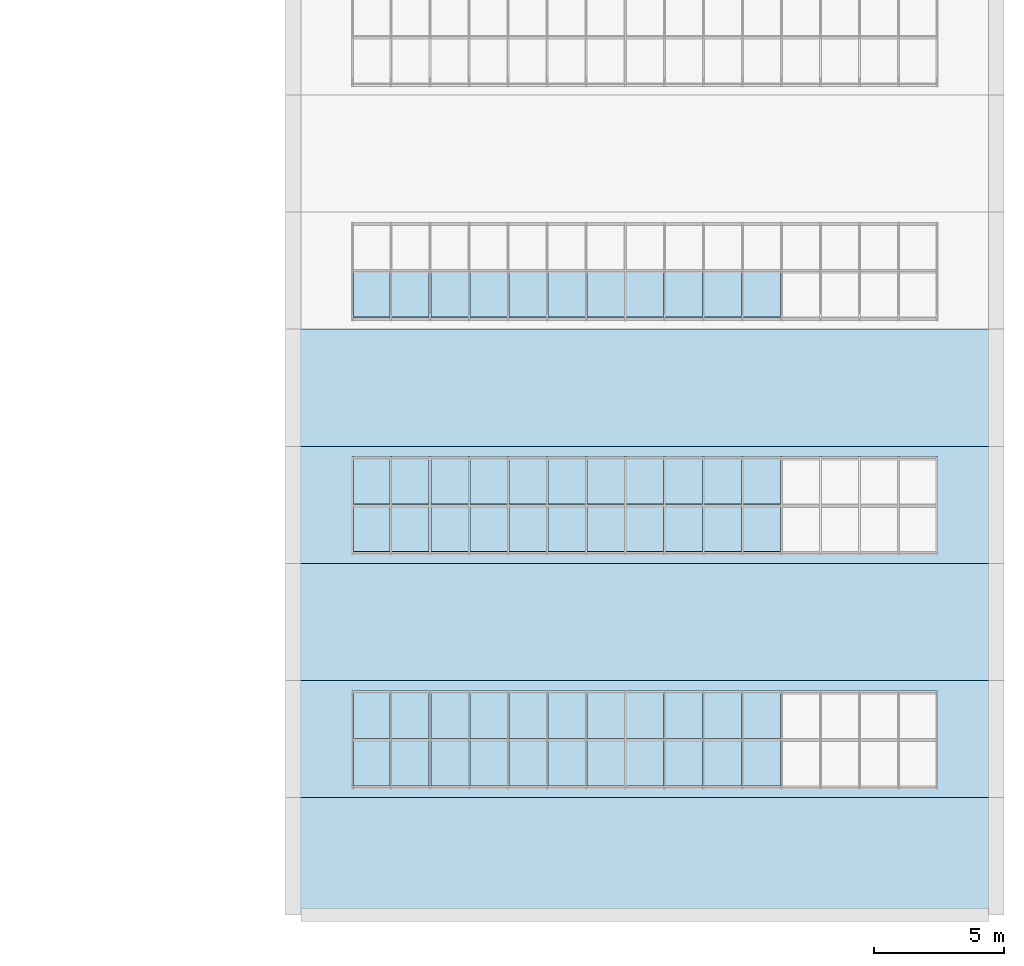
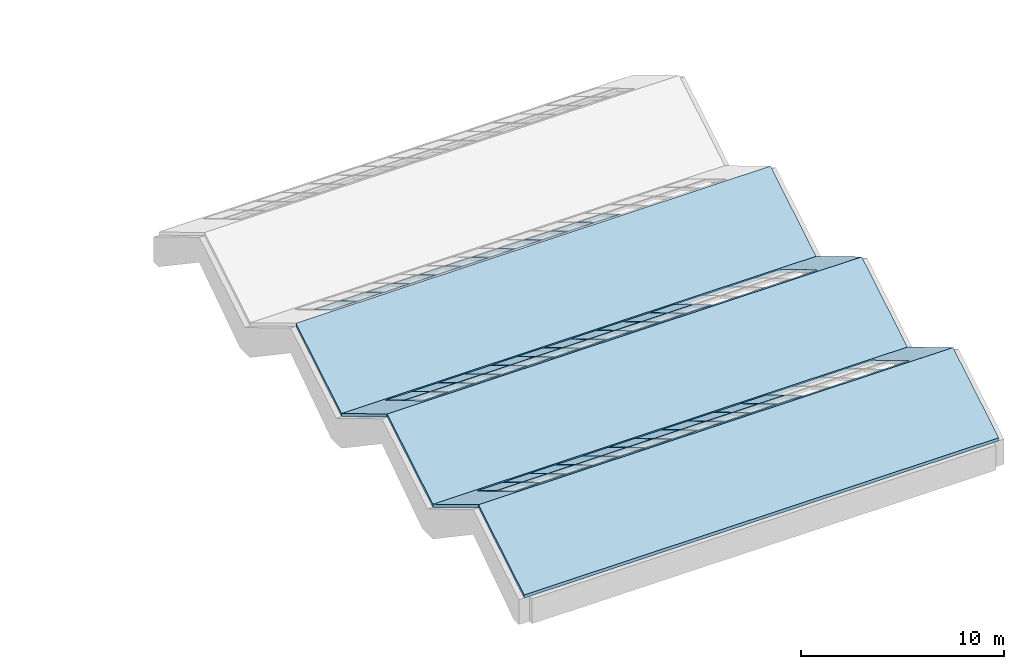
# One storey, part 12 of 29: 55 plates, 5 slabs, 3 elements without a shape of their own.
"""IFC4 building model written with IfcOpenShell, lengths in metres."""

from ifc_helpers import new_model, si_unit, direction, frame, origin, place, context, subcontext, project, spatial, polyline, outline, extrude, material, layer, layer_set, type_object, element, aggregate, save


model = new_model("IFC4")

# Units and contexts
model_context = context("Model", 3, precision=1e-05, world=origin(), true_north=direction((0.0, 1.0)))
body_context = subcontext(model_context, "Body", "Model", "MODEL_VIEW")
ifc_project = project(units=[si_unit("LENGTHUNIT", "METRE"), si_unit("AREAUNIT", "SQUARE_METRE"), si_unit("VOLUMEUNIT", "CUBIC_METRE"), si_unit("PLANEANGLEUNIT", "RADIAN"), si_unit("MASSUNIT", "GRAM", prefix="KILO")], contexts=[model_context])

# Site, building, storey
site_placement = place(None, origin())
site = spatial("IfcSite", under=ifc_project, at=site_placement, CompositionType="ELEMENT")
building_placement = place(site_placement, origin())
building = spatial("IfcBuilding", under=site, at=building_placement, Name="Merrow Basin Faculty of Sciences", CompositionType="ELEMENT")
storey_placement = place(building_placement, frame((0.0, 0.0, 22.5)))
storey = spatial("IfcBuildingStorey", under=building, at=storey_placement, Name="L05", CompositionType="ELEMENT", Elevation=22.5)

# Slabs
ifc_material_1 = material(Name="Concrete C50/60", Category="concrete")
ifc_layer_1 = layer(ifc_material_1, 0.159912109375)
ifc_layer_set_1 = layer_set([ifc_layer_1], Name="Folded plate 160 Concrete C50/60")
slab_type = type_object("IfcSlabType", Name="Folded plate 160 Concrete C50/60", PredefinedType="ROOF", material=ifc_layer_set_1)
slab_1_placement = place(storey_placement, frame((45.0, 0.0, 0.0), z_axis=(0.0, -0.514488913912, 0.857497030584), x_axis=(1.0, 0.0, 0.0)))
element("IfcSlab", 1, at=slab_1_placement, inside=storey, type_object=slab_type, Name="Folded plate 1", PredefinedType="ROOF", context=body_context, shape_type="SweptSolid", body=[
    extrude(outline(polyline([(0.0, 0.0), (27.0, 0.0), (27.0, 5.247831583664741), (0.0, 5.247831583664741), (0.0, 0.0)])), origin(), (0.0, -0.514488913912, -0.857497030584), 0.1865234375),
])
slab_2_placement = place(storey_placement, frame((45.0, 4.5, 2.699951171875), z_axis=(0.0, 0.514488913912, 0.857497030584), x_axis=(1.0, 0.0, 0.0)))
element("IfcSlab", 2, at=slab_2_placement, inside=storey, type_object=slab_type, Name="Folded plate 2", PredefinedType="ROOF", context=body_context, shape_type="SweptSolid", body=[
    extrude(outline(polyline([(0.0, 0.0), (27.0, 0.0), (27.0, 5.247831583664741), (0.0, 5.247831583664741), (0.0, 0.0)]), holes=[polyline([(2.25, 0.466390178603584), (24.75, 0.466390178603584), (24.75, 4.781441405061157), (2.25, 4.781441405061157), (2.25, 0.466390178603584)])]), origin(), (0.0, 0.514488913912, -0.857497030584), 0.1865234375),
])
slab_3_placement = place(storey_placement, frame((45.0, 9.0, 0.0), z_axis=(0.0, -0.514488913912, 0.857497030584), x_axis=(1.0, 0.0, 0.0)))
element("IfcSlab", 3, at=slab_3_placement, inside=storey, type_object=slab_type, Name="Folded plate 3", PredefinedType="ROOF", context=body_context, shape_type="SweptSolid", body=[
    extrude(outline(polyline([(0.0, 0.0), (27.0, 0.0), (27.0, 5.247831583664741), (0.0, 5.247831583664741), (0.0, 0.0)])), origin(), (0.0, -0.514488913912, -0.857497030584), 0.1865234375),
])
slab_4_placement = place(storey_placement, frame((45.0, 13.5, 2.699951171875), z_axis=(0.0, 0.514488913912, 0.857497030584), x_axis=(1.0, 0.0, 0.0)))
element("IfcSlab", 4, at=slab_4_placement, inside=storey, type_object=slab_type, Name="Folded plate 4", PredefinedType="ROOF", context=body_context, shape_type="SweptSolid", body=[
    extrude(outline(polyline([(0.0, 0.0), (27.0, 0.0), (27.0, 5.247831583664741), (0.0, 5.247831583664741), (0.0, 0.0)]), holes=[polyline([(2.25, 0.466390178603584), (24.75, 0.466390178603584), (24.75, 4.781441405061157), (2.25, 4.781441405061157), (2.25, 0.466390178603584)])]), origin(), (0.0, 0.514488913912, -0.857497030584), 0.1865234375),
])
slab_5_placement = place(storey_placement, frame((45.0, 18.0, 0.0), z_axis=(0.0, -0.514488913912, 0.857497030584), x_axis=(1.0, 0.0, 0.0)))
element("IfcSlab", 5, at=slab_5_placement, inside=storey, type_object=slab_type, Name="Folded plate 5", PredefinedType="ROOF", context=body_context, shape_type="SweptSolid", body=[
    extrude(outline(polyline([(0.0, 0.0), (27.0, 0.0), (27.0, 5.247831583664741), (0.0, 5.247831583664741), (0.0, 0.0)])), origin(), (0.0, -0.514488913912, -0.857497030584), 0.1865234375),
])

# Curtain wall, plates
ifc_material_2 = material(Name="Aluminium alloy 6063", Category="aluminium")
curtain_wall_type = type_object("IfcCurtainWallType", Name="Inclined curtain wall 160", PredefinedType="NOTDEFINED", material=ifc_material_2)
curtain_wall_1_placement = place(storey_placement, origin())
curtain_wall_1 = element("IfcCurtainWall", 6, at=curtain_wall_1_placement, inside=storey, type_object=curtain_wall_type, Name="North-light glazing 1", PredefinedType="NOTDEFINED")
ifc_material_3 = material(Name="Laminated safety glass", Category="glass")
ifc_layer_2 = layer(ifc_material_3, 0.033935546875)
ifc_layer_set_2 = layer_set([ifc_layer_2], Name="Laminated north-light panel 34")
plate_type = type_object("IfcPlateType", Name="Laminated north-light panel 34", PredefinedType="CURTAIN_PANEL", material=ifc_layer_set_2)
plate_1_placement = place(storey_placement, frame((47.31005859375, 4.9599609375, 2.444091796875), z_axis=(0.0, 0.514652011412, 0.857399152758), x_axis=(1.0, 0.0, 0.0)))
plate_1 = element("IfcPlate", 7, at=plate_1_placement, type_object=plate_type, Name="CW7 panel 1.1", PredefinedType="CURTAIN_PANEL", context=body_context, shape_type="SweptSolid", body=[
    extrude(outline(polyline([(0.0, 0.0), (1.409912109375, 0.0), (1.409912109375, 2.0678224524099513), (0.0, 2.0678224524099513), (0.0, 0.0)])), origin(), (0.0, 0.0, -1.0), 0.033935546875),
])
plate_2_placement = place(storey_placement, frame((47.31005859375, 6.783935546875, 1.34912109375), z_axis=(0.0, 0.514652011412, 0.857399152758), x_axis=(1.0, 0.0, 0.0)))
plate_2 = element("IfcPlate", 8, at=plate_2_placement, type_object=plate_type, Name="CW7 panel 1.2", PredefinedType="CURTAIN_PANEL", context=body_context, shape_type="SweptSolid", body=[
    extrude(outline(polyline([(0.0, 0.0), (1.409912109375, 0.0), (1.409912109375, 2.0678224524099513), (0.0, 2.0678224524099513), (0.0, 0.0)])), origin(), (0.0, 0.0, -1.0), 0.033935546875),
])
plate_3_placement = place(storey_placement, frame((48.780029296875, 4.9599609375, 2.444091796875), z_axis=(0.0, 0.514652011412, 0.857399152758), x_axis=(1.0, 0.0, 0.0)))
plate_3 = element("IfcPlate", 9, at=plate_3_placement, type_object=plate_type, Name="CW7 panel 2.1", PredefinedType="CURTAIN_PANEL", context=body_context, shape_type="SweptSolid", body=[
    extrude(outline(polyline([(0.0, 0.0), (1.43994140625, 0.0), (1.43994140625, 2.0678224524099513), (0.0, 2.0678224524099513), (0.0, 0.0)])), origin(), (0.0, 0.0, -1.0), 0.033935546875),
])
plate_4_placement = place(storey_placement, frame((48.780029296875, 6.783935546875, 1.34912109375), z_axis=(0.0, 0.514652011412, 0.857399152758), x_axis=(1.0, 0.0, 0.0)))
plate_4 = element("IfcPlate", 10, at=plate_4_placement, type_object=plate_type, Name="CW7 panel 2.2", PredefinedType="CURTAIN_PANEL", context=body_context, shape_type="SweptSolid", body=[
    extrude(outline(polyline([(0.0, 0.0), (1.43994140625, 0.0), (1.43994140625, 2.0678224524099513), (0.0, 2.0678224524099513), (0.0, 0.0)])), origin(), (0.0, 0.0, -1.0), 0.033935546875),
])
plate_5_placement = place(storey_placement, frame((50.280029296875, 4.9599609375, 2.444091796875), z_axis=(0.0, 0.514652011412, 0.857399152758), x_axis=(1.0, 0.0, 0.0)))
plate_5 = element("IfcPlate", 11, at=plate_5_placement, type_object=plate_type, Name="CW7 panel 3.1", PredefinedType="CURTAIN_PANEL", context=body_context, shape_type="SweptSolid", body=[
    extrude(outline(polyline([(0.0, 0.0), (1.43994140625, 0.0), (1.43994140625, 2.0678224524099513), (0.0, 2.0678224524099513), (0.0, 0.0)])), origin(), (0.0, 0.0, -1.0), 0.033935546875),
])
plate_6_placement = place(storey_placement, frame((50.280029296875, 6.783935546875, 1.34912109375), z_axis=(0.0, 0.514652011412, 0.857399152758), x_axis=(1.0, 0.0, 0.0)))
plate_6 = element("IfcPlate", 12, at=plate_6_placement, type_object=plate_type, Name="CW7 panel 3.2", PredefinedType="CURTAIN_PANEL", context=body_context, shape_type="SweptSolid", body=[
    extrude(outline(polyline([(0.0, 0.0), (1.43994140625, 0.0), (1.43994140625, 2.0678224524099513), (0.0, 2.0678224524099513), (0.0, 0.0)])), origin(), (0.0, 0.0, -1.0), 0.033935546875),
])
plate_7_placement = place(storey_placement, frame((51.780029296875, 4.9599609375, 2.444091796875), z_axis=(0.0, 0.514652011412, 0.857399152758), x_axis=(1.0, 0.0, 0.0)))
plate_7 = element("IfcPlate", 13, at=plate_7_placement, type_object=plate_type, Name="CW7 panel 4.1", PredefinedType="CURTAIN_PANEL", context=body_context, shape_type="SweptSolid", body=[
    extrude(outline(polyline([(0.0, 0.0), (1.43994140625, 0.0), (1.43994140625, 2.0678224524099513), (0.0, 2.0678224524099513), (0.0, 0.0)])), origin(), (0.0, 0.0, -1.0), 0.033935546875),
])
plate_8_placement = place(storey_placement, frame((51.780029296875, 6.783935546875, 1.34912109375), z_axis=(0.0, 0.514652011412, 0.857399152758), x_axis=(1.0, 0.0, 0.0)))
plate_8 = element("IfcPlate", 14, at=plate_8_placement, type_object=plate_type, Name="CW7 panel 4.2", PredefinedType="CURTAIN_PANEL", context=body_context, shape_type="SweptSolid", body=[
    extrude(outline(polyline([(0.0, 0.0), (1.43994140625, 0.0), (1.43994140625, 2.0678224524099513), (0.0, 2.0678224524099513), (0.0, 0.0)])), origin(), (0.0, 0.0, -1.0), 0.033935546875),
])
plate_9_placement = place(storey_placement, frame((53.280029296875, 4.9599609375, 2.444091796875), z_axis=(0.0, 0.514652011412, 0.857399152758), x_axis=(1.0, 0.0, 0.0)))
plate_9 = element("IfcPlate", 15, at=plate_9_placement, type_object=plate_type, Name="CW7 panel 5.1", PredefinedType="CURTAIN_PANEL", context=body_context, shape_type="SweptSolid", body=[
    extrude(outline(polyline([(0.0, 0.0), (1.43994140625, 0.0), (1.43994140625, 2.0678224524099513), (0.0, 2.0678224524099513), (0.0, 0.0)])), origin(), (0.0, 0.0, -1.0), 0.033935546875),
])
plate_10_placement = place(storey_placement, frame((53.280029296875, 6.783935546875, 1.34912109375), z_axis=(0.0, 0.514652011412, 0.857399152758), x_axis=(1.0, 0.0, 0.0)))
plate_10 = element("IfcPlate", 16, at=plate_10_placement, type_object=plate_type, Name="CW7 panel 5.2", PredefinedType="CURTAIN_PANEL", context=body_context, shape_type="SweptSolid", body=[
    extrude(outline(polyline([(0.0, 0.0), (1.43994140625, 0.0), (1.43994140625, 2.0678224524099513), (0.0, 2.0678224524099513), (0.0, 0.0)])), origin(), (0.0, 0.0, -1.0), 0.033935546875),
])
plate_11_placement = place(storey_placement, frame((54.780029296875, 4.9599609375, 2.444091796875), z_axis=(0.0, 0.514652011412, 0.857399152758), x_axis=(1.0, 0.0, 0.0)))
plate_11 = element("IfcPlate", 17, at=plate_11_placement, type_object=plate_type, Name="CW7 panel 6.1", PredefinedType="CURTAIN_PANEL", context=body_context, shape_type="SweptSolid", body=[
    extrude(outline(polyline([(0.0, 0.0), (1.43994140625, 0.0), (1.43994140625, 2.0678224524099513), (0.0, 2.0678224524099513), (0.0, 0.0)])), origin(), (0.0, 0.0, -1.0), 0.033935546875),
])
plate_12_placement = place(storey_placement, frame((54.780029296875, 6.783935546875, 1.34912109375), z_axis=(0.0, 0.514652011412, 0.857399152758), x_axis=(1.0, 0.0, 0.0)))
plate_12 = element("IfcPlate", 18, at=plate_12_placement, type_object=plate_type, Name="CW7 panel 6.2", PredefinedType="CURTAIN_PANEL", context=body_context, shape_type="SweptSolid", body=[
    extrude(outline(polyline([(0.0, 0.0), (1.43994140625, 0.0), (1.43994140625, 2.0678224524099513), (0.0, 2.0678224524099513), (0.0, 0.0)])), origin(), (0.0, 0.0, -1.0), 0.033935546875),
])
plate_13_placement = place(storey_placement, frame((56.280029296875, 4.9599609375, 2.444091796875), z_axis=(0.0, 0.514652011412, 0.857399152758), x_axis=(1.0, 0.0, 0.0)))
plate_13 = element("IfcPlate", 19, at=plate_13_placement, type_object=plate_type, Name="CW7 panel 7.1", PredefinedType="CURTAIN_PANEL", context=body_context, shape_type="SweptSolid", body=[
    extrude(outline(polyline([(0.0, 0.0), (1.43994140625, 0.0), (1.43994140625, 2.0678224524099513), (0.0, 2.0678224524099513), (0.0, 0.0)])), origin(), (0.0, 0.0, -1.0), 0.033935546875),
])
plate_14_placement = place(storey_placement, frame((56.280029296875, 6.783935546875, 1.34912109375), z_axis=(0.0, 0.514652011412, 0.857399152758), x_axis=(1.0, 0.0, 0.0)))
plate_14 = element("IfcPlate", 20, at=plate_14_placement, type_object=plate_type, Name="CW7 panel 7.2", PredefinedType="CURTAIN_PANEL", context=body_context, shape_type="SweptSolid", body=[
    extrude(outline(polyline([(0.0, 0.0), (1.43994140625, 0.0), (1.43994140625, 2.0678224524099513), (0.0, 2.0678224524099513), (0.0, 0.0)])), origin(), (0.0, 0.0, -1.0), 0.033935546875),
])
plate_15_placement = place(storey_placement, frame((57.780029296875, 4.9599609375, 2.444091796875), z_axis=(0.0, 0.514652011412, 0.857399152758), x_axis=(1.0, 0.0, 0.0)))
plate_15 = element("IfcPlate", 21, at=plate_15_placement, type_object=plate_type, Name="CW7 panel 8.1", PredefinedType="CURTAIN_PANEL", context=body_context, shape_type="SweptSolid", body=[
    extrude(outline(polyline([(0.0, 0.0), (1.43994140625, 0.0), (1.43994140625, 2.0678224524099513), (0.0, 2.0678224524099513), (0.0, 0.0)])), origin(), (0.0, 0.0, -1.0), 0.033935546875),
])
plate_16_placement = place(storey_placement, frame((57.780029296875, 6.783935546875, 1.34912109375), z_axis=(0.0, 0.514652011412, 0.857399152758), x_axis=(1.0, 0.0, 0.0)))
plate_16 = element("IfcPlate", 22, at=plate_16_placement, type_object=plate_type, Name="CW7 panel 8.2", PredefinedType="CURTAIN_PANEL", context=body_context, shape_type="SweptSolid", body=[
    extrude(outline(polyline([(0.0, 0.0), (1.43994140625, 0.0), (1.43994140625, 2.0678224524099513), (0.0, 2.0678224524099513), (0.0, 0.0)])), origin(), (0.0, 0.0, -1.0), 0.033935546875),
])
plate_17_placement = place(storey_placement, frame((59.280029296875, 4.9599609375, 2.444091796875), z_axis=(0.0, 0.514652011412, 0.857399152758), x_axis=(1.0, 0.0, 0.0)))
plate_17 = element("IfcPlate", 23, at=plate_17_placement, type_object=plate_type, Name="CW7 panel 9.1", PredefinedType="CURTAIN_PANEL", context=body_context, shape_type="SweptSolid", body=[
    extrude(outline(polyline([(0.0, 0.0), (1.43994140625, 0.0), (1.43994140625, 2.0678224524099513), (0.0, 2.0678224524099513), (0.0, 0.0)])), origin(), (0.0, 0.0, -1.0), 0.033935546875),
])
plate_18_placement = place(storey_placement, frame((59.280029296875, 6.783935546875, 1.34912109375), z_axis=(0.0, 0.514652011412, 0.857399152758), x_axis=(1.0, 0.0, 0.0)))
plate_18 = element("IfcPlate", 24, at=plate_18_placement, type_object=plate_type, Name="CW7 panel 9.2", PredefinedType="CURTAIN_PANEL", context=body_context, shape_type="SweptSolid", body=[
    extrude(outline(polyline([(0.0, 0.0), (1.43994140625, 0.0), (1.43994140625, 2.0678224524099513), (0.0, 2.0678224524099513), (0.0, 0.0)])), origin(), (0.0, 0.0, -1.0), 0.033935546875),
])
plate_19_placement = place(storey_placement, frame((60.780029296875, 4.9599609375, 2.444091796875), z_axis=(0.0, 0.514652011412, 0.857399152758), x_axis=(1.0, 0.0, 0.0)))
plate_19 = element("IfcPlate", 25, at=plate_19_placement, type_object=plate_type, Name="CW7 panel 10.1", PredefinedType="CURTAIN_PANEL", context=body_context, shape_type="SweptSolid", body=[
    extrude(outline(polyline([(0.0, 0.0), (1.43994140625, 0.0), (1.43994140625, 2.0678224524099513), (0.0, 2.0678224524099513), (0.0, 0.0)])), origin(), (0.0, 0.0, -1.0), 0.033935546875),
])
plate_20_placement = place(storey_placement, frame((60.780029296875, 6.783935546875, 1.34912109375), z_axis=(0.0, 0.514652011412, 0.857399152758), x_axis=(1.0, 0.0, 0.0)))
plate_20 = element("IfcPlate", 26, at=plate_20_placement, type_object=plate_type, Name="CW7 panel 10.2", PredefinedType="CURTAIN_PANEL", context=body_context, shape_type="SweptSolid", body=[
    extrude(outline(polyline([(0.0, 0.0), (1.43994140625, 0.0), (1.43994140625, 2.0678224524099513), (0.0, 2.0678224524099513), (0.0, 0.0)])), origin(), (0.0, 0.0, -1.0), 0.033935546875),
])
plate_21_placement = place(storey_placement, frame((62.280029296875, 4.9599609375, 2.444091796875), z_axis=(0.0, 0.514652011412, 0.857399152758), x_axis=(1.0, 0.0, 0.0)))
plate_21 = element("IfcPlate", 27, at=plate_21_placement, type_object=plate_type, Name="CW7 panel 11.1", PredefinedType="CURTAIN_PANEL", context=body_context, shape_type="SweptSolid", body=[
    extrude(outline(polyline([(0.0, 0.0), (1.43994140625, 0.0), (1.43994140625, 2.0678224524099513), (0.0, 2.0678224524099513), (0.0, 0.0)])), origin(), (0.0, 0.0, -1.0), 0.033935546875),
])
plate_22_placement = place(storey_placement, frame((62.280029296875, 6.783935546875, 1.34912109375), z_axis=(0.0, 0.514652011412, 0.857399152758), x_axis=(1.0, 0.0, 0.0)))
plate_22 = element("IfcPlate", 28, at=plate_22_placement, type_object=plate_type, Name="CW7 panel 11.2", PredefinedType="CURTAIN_PANEL", context=body_context, shape_type="SweptSolid", body=[
    extrude(outline(polyline([(0.0, 0.0), (1.43994140625, 0.0), (1.43994140625, 2.0678224524099513), (0.0, 2.0678224524099513), (0.0, 0.0)])), origin(), (0.0, 0.0, -1.0), 0.033935546875),
])
aggregate(curtain_wall_1, [plate_1, plate_2, plate_3, plate_4, plate_5, plate_6, plate_7, plate_8, plate_9, plate_10, plate_11, plate_12, plate_13, plate_14, plate_15, plate_16, plate_17, plate_18, plate_19, plate_20, plate_21, plate_22])

curtain_wall_2_placement = place(storey_placement, origin())
curtain_wall_2 = element("IfcCurtainWall", 29, at=curtain_wall_2_placement, inside=storey, type_object=curtain_wall_type, Name="North-light glazing 3", PredefinedType="NOTDEFINED")
plate_23_placement = place(storey_placement, frame((47.31005859375, 13.9599609375, 2.444091796875), z_axis=(0.0, 0.514652011412, 0.857399152758), x_axis=(1.0, 0.0, 0.0)))
plate_23 = element("IfcPlate", 30, at=plate_23_placement, type_object=plate_type, Name="CW7 panel 1.1", PredefinedType="CURTAIN_PANEL", context=body_context, shape_type="SweptSolid", body=[
    extrude(outline(polyline([(0.0, 0.0), (1.409912109375, 0.0), (1.409912109375, 2.0678224524099513), (0.0, 2.0678224524099513), (0.0, 0.0)])), origin(), (0.0, 0.0, -1.0), 0.033935546875),
])
plate_24_placement = place(storey_placement, frame((47.31005859375, 15.783935546875, 1.34912109375), z_axis=(0.0, 0.514652011412, 0.857399152758), x_axis=(1.0, 0.0, 0.0)))
plate_24 = element("IfcPlate", 31, at=plate_24_placement, type_object=plate_type, Name="CW7 panel 1.2", PredefinedType="CURTAIN_PANEL", context=body_context, shape_type="SweptSolid", body=[
    extrude(outline(polyline([(0.0, 0.0), (1.409912109375, 0.0), (1.409912109375, 2.0678224524099513), (0.0, 2.0678224524099513), (0.0, 0.0)])), origin(), (0.0, 0.0, -1.0), 0.033935546875),
])
plate_25_placement = place(storey_placement, frame((48.780029296875, 13.9599609375, 2.444091796875), z_axis=(0.0, 0.514652011412, 0.857399152758), x_axis=(1.0, 0.0, 0.0)))
plate_25 = element("IfcPlate", 32, at=plate_25_placement, type_object=plate_type, Name="CW7 panel 2.1", PredefinedType="CURTAIN_PANEL", context=body_context, shape_type="SweptSolid", body=[
    extrude(outline(polyline([(0.0, 0.0), (1.43994140625, 0.0), (1.43994140625, 2.0678224524099513), (0.0, 2.0678224524099513), (0.0, 0.0)])), origin(), (0.0, 0.0, -1.0), 0.033935546875),
])
plate_26_placement = place(storey_placement, frame((48.780029296875, 15.783935546875, 1.34912109375), z_axis=(0.0, 0.514652011412, 0.857399152758), x_axis=(1.0, 0.0, 0.0)))
plate_26 = element("IfcPlate", 33, at=plate_26_placement, type_object=plate_type, Name="CW7 panel 2.2", PredefinedType="CURTAIN_PANEL", context=body_context, shape_type="SweptSolid", body=[
    extrude(outline(polyline([(0.0, 0.0), (1.43994140625, 0.0), (1.43994140625, 2.0678224524099513), (0.0, 2.0678224524099513), (0.0, 0.0)])), origin(), (0.0, 0.0, -1.0), 0.033935546875),
])
plate_27_placement = place(storey_placement, frame((50.280029296875, 13.9599609375, 2.444091796875), z_axis=(0.0, 0.514652011412, 0.857399152758), x_axis=(1.0, 0.0, 0.0)))
plate_27 = element("IfcPlate", 34, at=plate_27_placement, type_object=plate_type, Name="CW7 panel 3.1", PredefinedType="CURTAIN_PANEL", context=body_context, shape_type="SweptSolid", body=[
    extrude(outline(polyline([(0.0, 0.0), (1.43994140625, 0.0), (1.43994140625, 2.0678224524099513), (0.0, 2.0678224524099513), (0.0, 0.0)])), origin(), (0.0, 0.0, -1.0), 0.033935546875),
])
plate_28_placement = place(storey_placement, frame((50.280029296875, 15.783935546875, 1.34912109375), z_axis=(0.0, 0.514652011412, 0.857399152758), x_axis=(1.0, 0.0, 0.0)))
plate_28 = element("IfcPlate", 35, at=plate_28_placement, type_object=plate_type, Name="CW7 panel 3.2", PredefinedType="CURTAIN_PANEL", context=body_context, shape_type="SweptSolid", body=[
    extrude(outline(polyline([(0.0, 0.0), (1.43994140625, 0.0), (1.43994140625, 2.0678224524099513), (0.0, 2.0678224524099513), (0.0, 0.0)])), origin(), (0.0, 0.0, -1.0), 0.033935546875),
])
plate_29_placement = place(storey_placement, frame((51.780029296875, 13.9599609375, 2.444091796875), z_axis=(0.0, 0.514652011412, 0.857399152758), x_axis=(1.0, 0.0, 0.0)))
plate_29 = element("IfcPlate", 36, at=plate_29_placement, type_object=plate_type, Name="CW7 panel 4.1", PredefinedType="CURTAIN_PANEL", context=body_context, shape_type="SweptSolid", body=[
    extrude(outline(polyline([(0.0, 0.0), (1.43994140625, 0.0), (1.43994140625, 2.0678224524099513), (0.0, 2.0678224524099513), (0.0, 0.0)])), origin(), (0.0, 0.0, -1.0), 0.033935546875),
])
plate_30_placement = place(storey_placement, frame((51.780029296875, 15.783935546875, 1.34912109375), z_axis=(0.0, 0.514652011412, 0.857399152758), x_axis=(1.0, 0.0, 0.0)))
plate_30 = element("IfcPlate", 37, at=plate_30_placement, type_object=plate_type, Name="CW7 panel 4.2", PredefinedType="CURTAIN_PANEL", context=body_context, shape_type="SweptSolid", body=[
    extrude(outline(polyline([(0.0, 0.0), (1.43994140625, 0.0), (1.43994140625, 2.0678224524099513), (0.0, 2.0678224524099513), (0.0, 0.0)])), origin(), (0.0, 0.0, -1.0), 0.033935546875),
])
plate_31_placement = place(storey_placement, frame((53.280029296875, 13.9599609375, 2.444091796875), z_axis=(0.0, 0.514652011412, 0.857399152758), x_axis=(1.0, 0.0, 0.0)))
plate_31 = element("IfcPlate", 38, at=plate_31_placement, type_object=plate_type, Name="CW7 panel 5.1", PredefinedType="CURTAIN_PANEL", context=body_context, shape_type="SweptSolid", body=[
    extrude(outline(polyline([(0.0, 0.0), (1.43994140625, 0.0), (1.43994140625, 2.0678224524099513), (0.0, 2.0678224524099513), (0.0, 0.0)])), origin(), (0.0, 0.0, -1.0), 0.033935546875),
])
plate_32_placement = place(storey_placement, frame((53.280029296875, 15.783935546875, 1.34912109375), z_axis=(0.0, 0.514652011412, 0.857399152758), x_axis=(1.0, 0.0, 0.0)))
plate_32 = element("IfcPlate", 39, at=plate_32_placement, type_object=plate_type, Name="CW7 panel 5.2", PredefinedType="CURTAIN_PANEL", context=body_context, shape_type="SweptSolid", body=[
    extrude(outline(polyline([(0.0, 0.0), (1.43994140625, 0.0), (1.43994140625, 2.0678224524099513), (0.0, 2.0678224524099513), (0.0, 0.0)])), origin(), (0.0, 0.0, -1.0), 0.033935546875),
])
plate_33_placement = place(storey_placement, frame((54.780029296875, 13.9599609375, 2.444091796875), z_axis=(0.0, 0.514652011412, 0.857399152758), x_axis=(1.0, 0.0, 0.0)))
plate_33 = element("IfcPlate", 40, at=plate_33_placement, type_object=plate_type, Name="CW7 panel 6.1", PredefinedType="CURTAIN_PANEL", context=body_context, shape_type="SweptSolid", body=[
    extrude(outline(polyline([(0.0, 0.0), (1.43994140625, 0.0), (1.43994140625, 2.0678224524099513), (0.0, 2.0678224524099513), (0.0, 0.0)])), origin(), (0.0, 0.0, -1.0), 0.033935546875),
])
plate_34_placement = place(storey_placement, frame((54.780029296875, 15.783935546875, 1.34912109375), z_axis=(0.0, 0.514652011412, 0.857399152758), x_axis=(1.0, 0.0, 0.0)))
plate_34 = element("IfcPlate", 41, at=plate_34_placement, type_object=plate_type, Name="CW7 panel 6.2", PredefinedType="CURTAIN_PANEL", context=body_context, shape_type="SweptSolid", body=[
    extrude(outline(polyline([(0.0, 0.0), (1.43994140625, 0.0), (1.43994140625, 2.0678224524099513), (0.0, 2.0678224524099513), (0.0, 0.0)])), origin(), (0.0, 0.0, -1.0), 0.033935546875),
])
plate_35_placement = place(storey_placement, frame((56.280029296875, 13.9599609375, 2.444091796875), z_axis=(0.0, 0.514652011412, 0.857399152758), x_axis=(1.0, 0.0, 0.0)))
plate_35 = element("IfcPlate", 42, at=plate_35_placement, type_object=plate_type, Name="CW7 panel 7.1", PredefinedType="CURTAIN_PANEL", context=body_context, shape_type="SweptSolid", body=[
    extrude(outline(polyline([(0.0, 0.0), (1.43994140625, 0.0), (1.43994140625, 2.0678224524099513), (0.0, 2.0678224524099513), (0.0, 0.0)])), origin(), (0.0, 0.0, -1.0), 0.033935546875),
])
plate_36_placement = place(storey_placement, frame((56.280029296875, 15.783935546875, 1.34912109375), z_axis=(0.0, 0.514652011412, 0.857399152758), x_axis=(1.0, 0.0, 0.0)))
plate_36 = element("IfcPlate", 43, at=plate_36_placement, type_object=plate_type, Name="CW7 panel 7.2", PredefinedType="CURTAIN_PANEL", context=body_context, shape_type="SweptSolid", body=[
    extrude(outline(polyline([(0.0, 0.0), (1.43994140625, 0.0), (1.43994140625, 2.0678224524099513), (0.0, 2.0678224524099513), (0.0, 0.0)])), origin(), (0.0, 0.0, -1.0), 0.033935546875),
])
plate_37_placement = place(storey_placement, frame((57.780029296875, 13.9599609375, 2.444091796875), z_axis=(0.0, 0.514652011412, 0.857399152758), x_axis=(1.0, 0.0, 0.0)))
plate_37 = element("IfcPlate", 44, at=plate_37_placement, type_object=plate_type, Name="CW7 panel 8.1", PredefinedType="CURTAIN_PANEL", context=body_context, shape_type="SweptSolid", body=[
    extrude(outline(polyline([(0.0, 0.0), (1.43994140625, 0.0), (1.43994140625, 2.0678224524099513), (0.0, 2.0678224524099513), (0.0, 0.0)])), origin(), (0.0, 0.0, -1.0), 0.033935546875),
])
plate_38_placement = place(storey_placement, frame((57.780029296875, 15.783935546875, 1.34912109375), z_axis=(0.0, 0.514652011412, 0.857399152758), x_axis=(1.0, 0.0, 0.0)))
plate_38 = element("IfcPlate", 45, at=plate_38_placement, type_object=plate_type, Name="CW7 panel 8.2", PredefinedType="CURTAIN_PANEL", context=body_context, shape_type="SweptSolid", body=[
    extrude(outline(polyline([(0.0, 0.0), (1.43994140625, 0.0), (1.43994140625, 2.0678224524099513), (0.0, 2.0678224524099513), (0.0, 0.0)])), origin(), (0.0, 0.0, -1.0), 0.033935546875),
])
plate_39_placement = place(storey_placement, frame((59.280029296875, 13.9599609375, 2.444091796875), z_axis=(0.0, 0.514652011412, 0.857399152758), x_axis=(1.0, 0.0, 0.0)))
plate_39 = element("IfcPlate", 46, at=plate_39_placement, type_object=plate_type, Name="CW7 panel 9.1", PredefinedType="CURTAIN_PANEL", context=body_context, shape_type="SweptSolid", body=[
    extrude(outline(polyline([(0.0, 0.0), (1.43994140625, 0.0), (1.43994140625, 2.0678224524099513), (0.0, 2.0678224524099513), (0.0, 0.0)])), origin(), (0.0, 0.0, -1.0), 0.033935546875),
])
plate_40_placement = place(storey_placement, frame((59.280029296875, 15.783935546875, 1.34912109375), z_axis=(0.0, 0.514652011412, 0.857399152758), x_axis=(1.0, 0.0, 0.0)))
plate_40 = element("IfcPlate", 47, at=plate_40_placement, type_object=plate_type, Name="CW7 panel 9.2", PredefinedType="CURTAIN_PANEL", context=body_context, shape_type="SweptSolid", body=[
    extrude(outline(polyline([(0.0, 0.0), (1.43994140625, 0.0), (1.43994140625, 2.0678224524099513), (0.0, 2.0678224524099513), (0.0, 0.0)])), origin(), (0.0, 0.0, -1.0), 0.033935546875),
])
plate_41_placement = place(storey_placement, frame((60.780029296875, 13.9599609375, 2.444091796875), z_axis=(0.0, 0.514652011412, 0.857399152758), x_axis=(1.0, 0.0, 0.0)))
plate_41 = element("IfcPlate", 48, at=plate_41_placement, type_object=plate_type, Name="CW7 panel 10.1", PredefinedType="CURTAIN_PANEL", context=body_context, shape_type="SweptSolid", body=[
    extrude(outline(polyline([(0.0, 0.0), (1.43994140625, 0.0), (1.43994140625, 2.0678224524099513), (0.0, 2.0678224524099513), (0.0, 0.0)])), origin(), (0.0, 0.0, -1.0), 0.033935546875),
])
plate_42_placement = place(storey_placement, frame((60.780029296875, 15.783935546875, 1.34912109375), z_axis=(0.0, 0.514652011412, 0.857399152758), x_axis=(1.0, 0.0, 0.0)))
plate_42 = element("IfcPlate", 49, at=plate_42_placement, type_object=plate_type, Name="CW7 panel 10.2", PredefinedType="CURTAIN_PANEL", context=body_context, shape_type="SweptSolid", body=[
    extrude(outline(polyline([(0.0, 0.0), (1.43994140625, 0.0), (1.43994140625, 2.0678224524099513), (0.0, 2.0678224524099513), (0.0, 0.0)])), origin(), (0.0, 0.0, -1.0), 0.033935546875),
])
plate_43_placement = place(storey_placement, frame((62.280029296875, 13.9599609375, 2.444091796875), z_axis=(0.0, 0.514652011412, 0.857399152758), x_axis=(1.0, 0.0, 0.0)))
plate_43 = element("IfcPlate", 50, at=plate_43_placement, type_object=plate_type, Name="CW7 panel 11.1", PredefinedType="CURTAIN_PANEL", context=body_context, shape_type="SweptSolid", body=[
    extrude(outline(polyline([(0.0, 0.0), (1.43994140625, 0.0), (1.43994140625, 2.0678224524099513), (0.0, 2.0678224524099513), (0.0, 0.0)])), origin(), (0.0, 0.0, -1.0), 0.033935546875),
])
plate_44_placement = place(storey_placement, frame((62.280029296875, 15.783935546875, 1.34912109375), z_axis=(0.0, 0.514652011412, 0.857399152758), x_axis=(1.0, 0.0, 0.0)))
plate_44 = element("IfcPlate", 51, at=plate_44_placement, type_object=plate_type, Name="CW7 panel 11.2", PredefinedType="CURTAIN_PANEL", context=body_context, shape_type="SweptSolid", body=[
    extrude(outline(polyline([(0.0, 0.0), (1.43994140625, 0.0), (1.43994140625, 2.0678224524099513), (0.0, 2.0678224524099513), (0.0, 0.0)])), origin(), (0.0, 0.0, -1.0), 0.033935546875),
])
aggregate(curtain_wall_2, [plate_23, plate_24, plate_25, plate_26, plate_27, plate_28, plate_29, plate_30, plate_31, plate_32, plate_33, plate_34, plate_35, plate_36, plate_37, plate_38, plate_39, plate_40, plate_41, plate_42, plate_43, plate_44])

curtain_wall_3_placement = place(storey_placement, origin())
curtain_wall_3 = element("IfcCurtainWall", 52, at=curtain_wall_3_placement, inside=storey, type_object=curtain_wall_type, Name="North-light glazing 5", PredefinedType="NOTDEFINED")
plate_45_placement = place(storey_placement, frame((47.31005859375, 22.9599609375, 2.444091796875), z_axis=(0.0, 0.514652011412, 0.857399152758), x_axis=(1.0, 0.0, 0.0)))
plate_45 = element("IfcPlate", 53, at=plate_45_placement, type_object=plate_type, Name="CW7 panel 1.1", PredefinedType="CURTAIN_PANEL", context=body_context, shape_type="SweptSolid", body=[
    extrude(outline(polyline([(0.0, 0.0), (1.409912109375, 0.0), (1.409912109375, 2.0678224524099513), (0.0, 2.0678224524099513), (0.0, 0.0)])), origin(), (0.0, 0.0, -1.0), 0.033935546875),
])
plate_46_placement = place(storey_placement, frame((48.780029296875, 22.9599609375, 2.444091796875), z_axis=(0.0, 0.514652011412, 0.857399152758), x_axis=(1.0, 0.0, 0.0)))
plate_46 = element("IfcPlate", 54, at=plate_46_placement, type_object=plate_type, Name="CW7 panel 2.1", PredefinedType="CURTAIN_PANEL", context=body_context, shape_type="SweptSolid", body=[
    extrude(outline(polyline([(0.0, 0.0), (1.43994140625, 0.0), (1.43994140625, 2.0678224524099513), (0.0, 2.0678224524099513), (0.0, 0.0)])), origin(), (0.0, 0.0, -1.0), 0.033935546875),
])
plate_47_placement = place(storey_placement, frame((50.280029296875, 22.9599609375, 2.444091796875), z_axis=(0.0, 0.514652011412, 0.857399152758), x_axis=(1.0, 0.0, 0.0)))
plate_47 = element("IfcPlate", 55, at=plate_47_placement, type_object=plate_type, Name="CW7 panel 3.1", PredefinedType="CURTAIN_PANEL", context=body_context, shape_type="SweptSolid", body=[
    extrude(outline(polyline([(0.0, 0.0), (1.43994140625, 0.0), (1.43994140625, 2.0678224524099513), (0.0, 2.0678224524099513), (0.0, 0.0)])), origin(), (0.0, 0.0, -1.0), 0.033935546875),
])
plate_48_placement = place(storey_placement, frame((51.780029296875, 22.9599609375, 2.444091796875), z_axis=(0.0, 0.514652011412, 0.857399152758), x_axis=(1.0, 0.0, 0.0)))
plate_48 = element("IfcPlate", 56, at=plate_48_placement, type_object=plate_type, Name="CW7 panel 4.1", PredefinedType="CURTAIN_PANEL", context=body_context, shape_type="SweptSolid", body=[
    extrude(outline(polyline([(0.0, 0.0), (1.43994140625, 0.0), (1.43994140625, 2.0678224524099513), (0.0, 2.0678224524099513), (0.0, 0.0)])), origin(), (0.0, 0.0, -1.0), 0.033935546875),
])
plate_49_placement = place(storey_placement, frame((53.280029296875, 22.9599609375, 2.444091796875), z_axis=(0.0, 0.514652011412, 0.857399152758), x_axis=(1.0, 0.0, 0.0)))
plate_49 = element("IfcPlate", 57, at=plate_49_placement, type_object=plate_type, Name="CW7 panel 5.1", PredefinedType="CURTAIN_PANEL", context=body_context, shape_type="SweptSolid", body=[
    extrude(outline(polyline([(0.0, 0.0), (1.43994140625, 0.0), (1.43994140625, 2.0678224524099513), (0.0, 2.0678224524099513), (0.0, 0.0)])), origin(), (0.0, 0.0, -1.0), 0.033935546875),
])
plate_50_placement = place(storey_placement, frame((54.780029296875, 22.9599609375, 2.444091796875), z_axis=(0.0, 0.514652011412, 0.857399152758), x_axis=(1.0, 0.0, 0.0)))
plate_50 = element("IfcPlate", 58, at=plate_50_placement, type_object=plate_type, Name="CW7 panel 6.1", PredefinedType="CURTAIN_PANEL", context=body_context, shape_type="SweptSolid", body=[
    extrude(outline(polyline([(0.0, 0.0), (1.43994140625, 0.0), (1.43994140625, 2.0678224524099513), (0.0, 2.0678224524099513), (0.0, 0.0)])), origin(), (0.0, 0.0, -1.0), 0.033935546875),
])
plate_51_placement = place(storey_placement, frame((56.280029296875, 22.9599609375, 2.444091796875), z_axis=(0.0, 0.514652011412, 0.857399152758), x_axis=(1.0, 0.0, 0.0)))
plate_51 = element("IfcPlate", 59, at=plate_51_placement, type_object=plate_type, Name="CW7 panel 7.1", PredefinedType="CURTAIN_PANEL", context=body_context, shape_type="SweptSolid", body=[
    extrude(outline(polyline([(0.0, 0.0), (1.43994140625, 0.0), (1.43994140625, 2.0678224524099513), (0.0, 2.0678224524099513), (0.0, 0.0)])), origin(), (0.0, 0.0, -1.0), 0.033935546875),
])
plate_52_placement = place(storey_placement, frame((57.780029296875, 22.9599609375, 2.444091796875), z_axis=(0.0, 0.514652011412, 0.857399152758), x_axis=(1.0, 0.0, 0.0)))
plate_52 = element("IfcPlate", 60, at=plate_52_placement, type_object=plate_type, Name="CW7 panel 8.1", PredefinedType="CURTAIN_PANEL", context=body_context, shape_type="SweptSolid", body=[
    extrude(outline(polyline([(0.0, 0.0), (1.43994140625, 0.0), (1.43994140625, 2.0678224524099513), (0.0, 2.0678224524099513), (0.0, 0.0)])), origin(), (0.0, 0.0, -1.0), 0.033935546875),
])
plate_53_placement = place(storey_placement, frame((59.280029296875, 22.9599609375, 2.444091796875), z_axis=(0.0, 0.514652011412, 0.857399152758), x_axis=(1.0, 0.0, 0.0)))
plate_53 = element("IfcPlate", 61, at=plate_53_placement, type_object=plate_type, Name="CW7 panel 9.1", PredefinedType="CURTAIN_PANEL", context=body_context, shape_type="SweptSolid", body=[
    extrude(outline(polyline([(0.0, 0.0), (1.43994140625, 0.0), (1.43994140625, 2.0678224524099513), (0.0, 2.0678224524099513), (0.0, 0.0)])), origin(), (0.0, 0.0, -1.0), 0.033935546875),
])
plate_54_placement = place(storey_placement, frame((60.780029296875, 22.9599609375, 2.444091796875), z_axis=(0.0, 0.514652011412, 0.857399152758), x_axis=(1.0, 0.0, 0.0)))
plate_54 = element("IfcPlate", 62, at=plate_54_placement, type_object=plate_type, Name="CW7 panel 10.1", PredefinedType="CURTAIN_PANEL", context=body_context, shape_type="SweptSolid", body=[
    extrude(outline(polyline([(0.0, 0.0), (1.43994140625, 0.0), (1.43994140625, 2.0678224524099513), (0.0, 2.0678224524099513), (0.0, 0.0)])), origin(), (0.0, 0.0, -1.0), 0.033935546875),
])
plate_55_placement = place(storey_placement, frame((62.280029296875, 22.9599609375, 2.444091796875), z_axis=(0.0, 0.514652011412, 0.857399152758), x_axis=(1.0, 0.0, 0.0)))
plate_55 = element("IfcPlate", 63, at=plate_55_placement, type_object=plate_type, Name="CW7 panel 11.1", PredefinedType="CURTAIN_PANEL", context=body_context, shape_type="SweptSolid", body=[
    extrude(outline(polyline([(0.0, 0.0), (1.43994140625, 0.0), (1.43994140625, 2.0678224524099513), (0.0, 2.0678224524099513), (0.0, 0.0)])), origin(), (0.0, 0.0, -1.0), 0.033935546875),
])
aggregate(curtain_wall_3, [plate_45, plate_46, plate_47, plate_48, plate_49, plate_50, plate_51, plate_52, plate_53, plate_54, plate_55])

save(model, "model.ifc")
